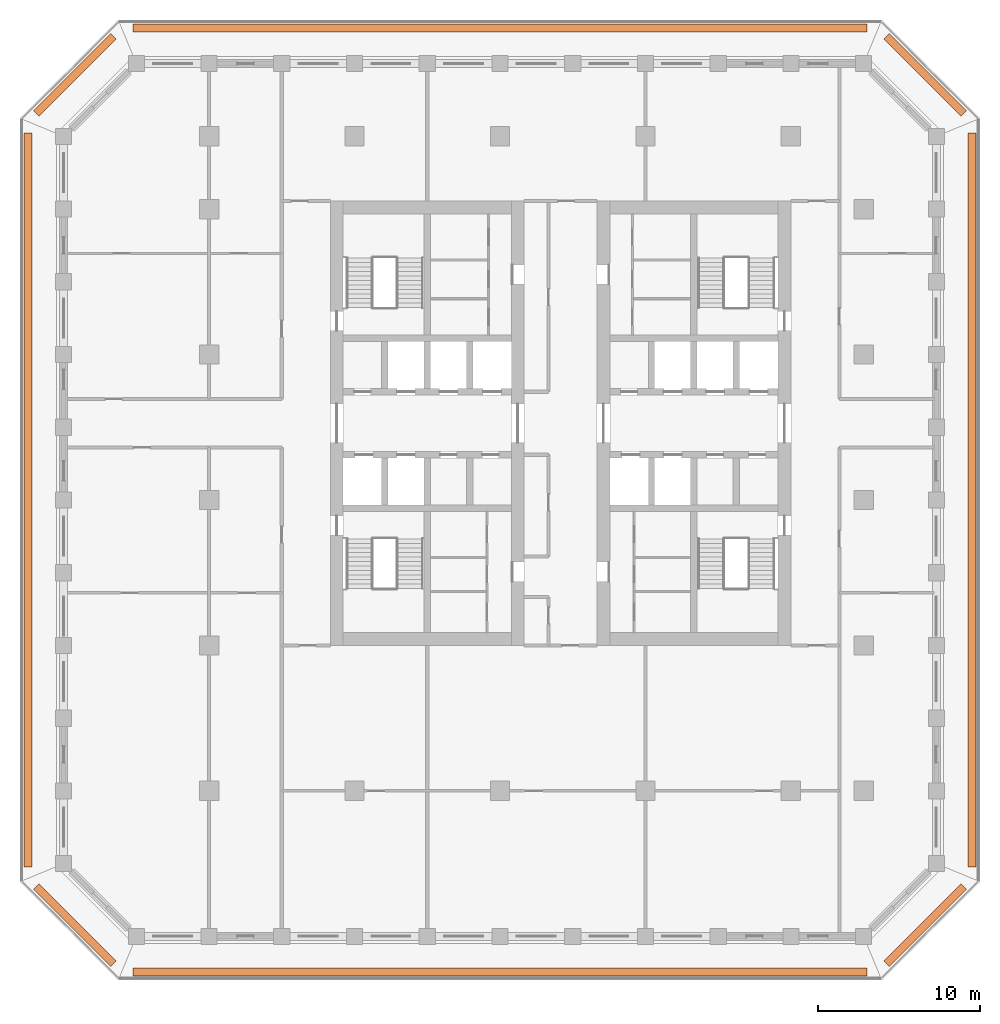
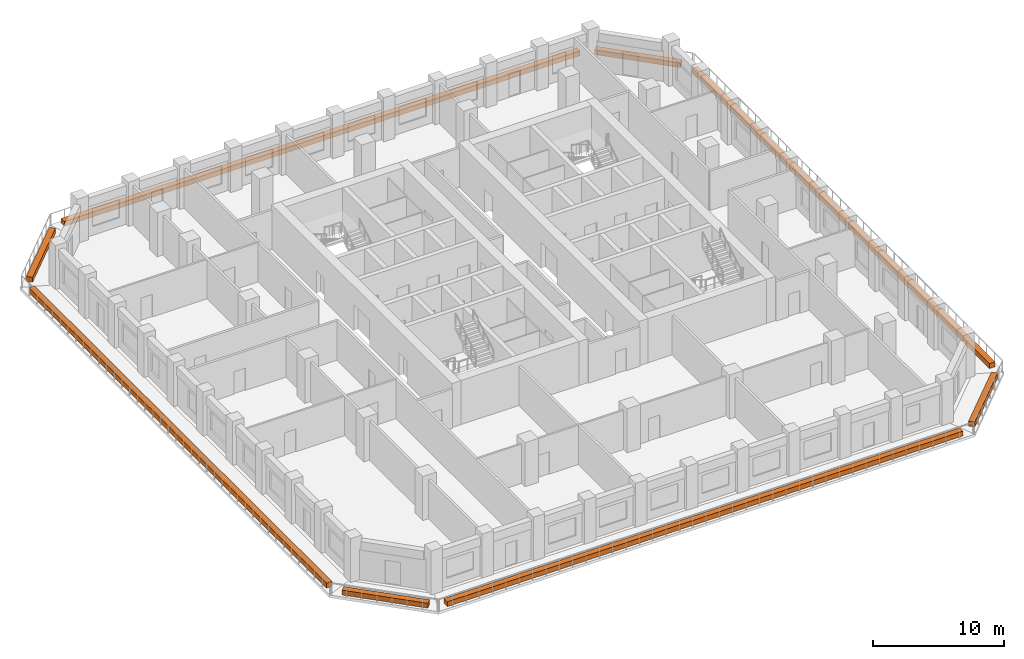
# One storey, part 16 of 16: 8 proxies.
"""IFC4 building model written with IfcOpenShell, lengths in metres."""

from ifc_helpers import new_model, si_unit, direction, frame, origin, origin_2d, place, context, subcontext, project, spatial, rectangle, extrude, material, type_object, element, save


model = new_model("IFC4")

# Units and contexts
model_context = context("Model", 3, precision=1e-05, world=origin(), true_north=direction((0.0, 1.0)))
body_context = subcontext(model_context, "Body", "Model", "MODEL_VIEW")
ifc_project = project(units=[si_unit("LENGTHUNIT", "METRE"), si_unit("AREAUNIT", "SQUARE_METRE"), si_unit("VOLUMEUNIT", "CUBIC_METRE"), si_unit("PLANEANGLEUNIT", "RADIAN"), si_unit("MASSUNIT", "GRAM", prefix="KILO")], contexts=[model_context])

# Site, building, storey
site_placement = place(None, origin())
site = spatial("IfcSite", under=ifc_project, at=site_placement, CompositionType="ELEMENT")
building_placement = place(site_placement, origin())
building = spatial("IfcBuilding", under=site, at=building_placement, Name="Corbel Stack Research Tower", CompositionType="ELEMENT")
storey_placement = place(building_placement, frame((0.0, 0.0, 169.10009765625)))
storey = spatial("IfcBuildingStorey", under=building, at=storey_placement, Name="L38", CompositionType="ELEMENT", Elevation=169.10009765625)

# Proxies
ifc_material = material(Name="Concrete C45/55", Category="concrete")
building_element_proxy_type = type_object("IfcBuildingElementProxyType", Name="Planter box", PredefinedType="USERDEFINED", material=ifc_material)
proxy_1_placement = place(storey_placement, frame((0.0, -29.199951171875, 0.0), z_axis=(0.0, 0.0, 1.0), x_axis=(1.0, 0.0, 0.0)))
element("IfcBuildingElementProxy", 1, at=proxy_1_placement, inside=storey, type_object=building_element_proxy_type, Name="Planter L38 S", ObjectType="PLANTER", PredefinedType="USERDEFINED", context=body_context, shape_type="SweptSolid", body=[
    extrude(rectangle(XDim=45.41064453125, YDim=0.5, at=origin_2d()), origin(), (0.0, 0.0, 1.0), 0.449951171875),
])
proxy_2_placement = place(storey_placement, frame((26.3056640625, -26.3056640625, 0.0), z_axis=(0.0, 0.0, 1.0), x_axis=(0.707106781187, 0.707106781187, 0.0)))
element("IfcBuildingElementProxy", 2, at=proxy_2_placement, inside=storey, type_object=building_element_proxy_type, Name="Planter L38 SE", ObjectType="PLANTER", PredefinedType="USERDEFINED", context=body_context, shape_type="SweptSolid", body=[
    extrude(rectangle(XDim=6.774658203125, YDim=0.5, at=origin_2d()), origin(), (0.0, 0.0, 1.0), 0.449951171875),
])
proxy_3_placement = place(storey_placement, frame((29.199951171875, 0.0, 0.0), z_axis=(0.0, 0.0, 1.0), x_axis=(0.0, 1.0, 0.0)))
element("IfcBuildingElementProxy", 3, at=proxy_3_placement, inside=storey, type_object=building_element_proxy_type, Name="Planter L38 E", ObjectType="PLANTER", PredefinedType="USERDEFINED", context=body_context, shape_type="SweptSolid", body=[
    extrude(rectangle(XDim=45.41064453125, YDim=0.5, at=origin_2d()), origin(), (0.0, 0.0, 1.0), 0.449951171875),
])
proxy_4_placement = place(storey_placement, frame((26.3056640625, 26.3056640625, 0.0), z_axis=(0.0, 0.0, 1.0), x_axis=(-0.707106781187, 0.707106781187, 0.0)))
element("IfcBuildingElementProxy", 4, at=proxy_4_placement, inside=storey, type_object=building_element_proxy_type, Name="Planter L38 NE", ObjectType="PLANTER", PredefinedType="USERDEFINED", context=body_context, shape_type="SweptSolid", body=[
    extrude(rectangle(XDim=6.774658203125, YDim=0.5, at=origin_2d()), origin(), (0.0, 0.0, 1.0), 0.449951171875),
])
proxy_5_placement = place(storey_placement, frame((0.0, 29.199951171875, 0.0), z_axis=(0.0, 0.0, 1.0), x_axis=(-1.0, 0.0, 0.0)))
element("IfcBuildingElementProxy", 5, at=proxy_5_placement, inside=storey, type_object=building_element_proxy_type, Name="Planter L38 N", ObjectType="PLANTER", PredefinedType="USERDEFINED", context=body_context, shape_type="SweptSolid", body=[
    extrude(rectangle(XDim=45.41064453125, YDim=0.5, at=origin_2d()), origin(), (0.0, 0.0, 1.0), 0.449951171875),
])
proxy_6_placement = place(storey_placement, frame((-26.3056640625, 26.3056640625, 0.0), z_axis=(0.0, 0.0, 1.0), x_axis=(-0.707106781187, -0.707106781187, 0.0)))
element("IfcBuildingElementProxy", 6, at=proxy_6_placement, inside=storey, type_object=building_element_proxy_type, Name="Planter L38 NW", ObjectType="PLANTER", PredefinedType="USERDEFINED", context=body_context, shape_type="SweptSolid", body=[
    extrude(rectangle(XDim=6.774658203125, YDim=0.5, at=origin_2d()), origin(), (0.0, 0.0, 1.0), 0.449951171875),
])
proxy_7_placement = place(storey_placement, frame((-29.199951171875, 0.0, 0.0), z_axis=(0.0, 0.0, 1.0), x_axis=(0.0, -1.0, 0.0)))
element("IfcBuildingElementProxy", 7, at=proxy_7_placement, inside=storey, type_object=building_element_proxy_type, Name="Planter L38 W", ObjectType="PLANTER", PredefinedType="USERDEFINED", context=body_context, shape_type="SweptSolid", body=[
    extrude(rectangle(XDim=45.41064453125, YDim=0.5, at=origin_2d()), origin(), (0.0, 0.0, 1.0), 0.449951171875),
])
proxy_8_placement = place(storey_placement, frame((-26.3056640625, -26.3056640625, 0.0), z_axis=(0.0, 0.0, 1.0), x_axis=(0.707106781187, -0.707106781187, 0.0)))
element("IfcBuildingElementProxy", 8, at=proxy_8_placement, inside=storey, type_object=building_element_proxy_type, Name="Planter L38 SW", ObjectType="PLANTER", PredefinedType="USERDEFINED", context=body_context, shape_type="SweptSolid", body=[
    extrude(rectangle(XDim=6.774658203125, YDim=0.5, at=origin_2d()), origin(), (0.0, 0.0, 1.0), 0.449951171875),
])

save(model, "model.ifc")
